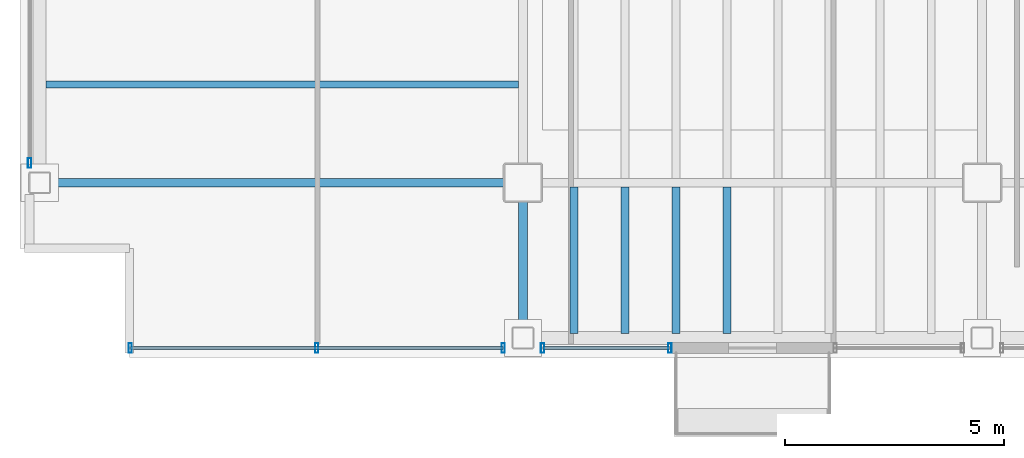
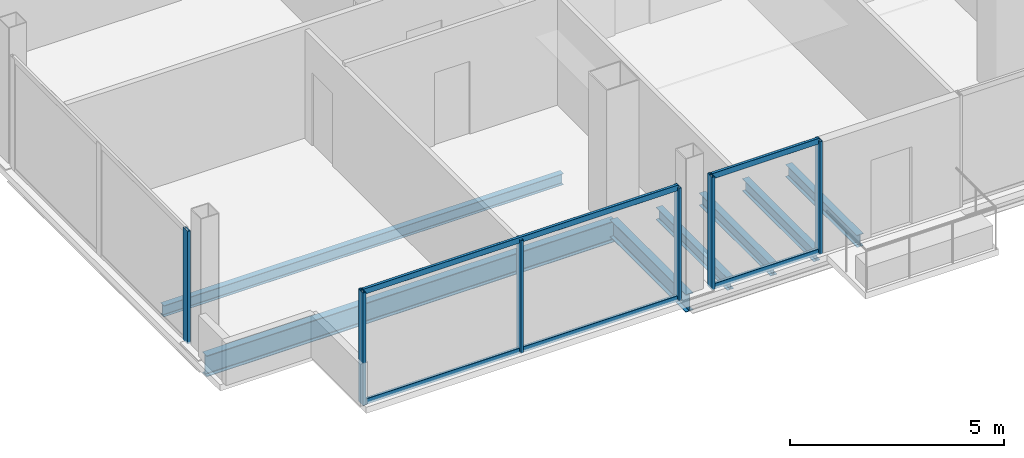
# One storey, part 2 of 19: 10 members, 7 beams, 3 elements without a shape of their own.
"""IFC4 building model written with IfcOpenShell, lengths in metres."""

from ifc_helpers import new_model, si_unit, direction, frame, origin, origin_2d, place, context, subcontext, project, spatial, hollow_rectangle, i_section, extrude, material, material_profile, profile_set, type_object, element, aggregate, save


model = new_model("IFC4")

# Units and contexts
model_context = context("Model", 3, precision=1e-05, world=origin(), true_north=direction((0.0, 1.0)))
body_context = subcontext(model_context, "Body", "Model", "MODEL_VIEW")
ifc_project = project(units=[si_unit("LENGTHUNIT", "METRE"), si_unit("AREAUNIT", "SQUARE_METRE"), si_unit("VOLUMEUNIT", "CUBIC_METRE"), si_unit("PLANEANGLEUNIT", "RADIAN"), si_unit("MASSUNIT", "GRAM", prefix="KILO")], contexts=[model_context])

# Site, building, storey
site_placement = place(None, origin())
site = spatial("IfcSite", under=ifc_project, at=site_placement, CompositionType="ELEMENT")
building_placement = place(site_placement, origin())
building = spatial("IfcBuilding", under=site, at=building_placement, Name="Noeulbin Bourse Tower", CompositionType="ELEMENT")
storey_placement = place(building_placement, frame((0.0, 0.0, 153.89990234375)))
storey = spatial("IfcBuildingStorey", under=building, at=storey_placement, Name="L38", CompositionType="ELEMENT", Elevation=153.89990234375)

# Beams
ifc_material_1 = material(Name="Steel S355", Category="steel")
ifc_material_profile_1 = material_profile(ifc_material_1, i_section(OverallWidth=0.199951171875, OverallDepth=0.5, WebThickness=0.010009765625, FlangeThickness=0.01611328125, FilletRadius=0.02001953125, at=origin_2d()), Name="H-500x200x10x16", Category="LoadBearing")
ifc_profile_set_1 = profile_set([ifc_material_profile_1], Name="Steel S355")
beam_type_1 = type_object("IfcBeamType", Name="BM-GRD-500", PredefinedType="USERDEFINED", material=ifc_profile_set_1)
beam_1_placement = place(storey_placement, frame((13.5, 16.449951171875, -0.429931640625), z_axis=(0.0, 1.0, 0.0), x_axis=(-1.0, 0.0, 0.0)))
element("IfcBeam", 1, at=beam_1_placement, inside=storey, type_object=beam_type_1, Name="Tower Primary Girder NS L38-1.1", ObjectType="GIRDER", PredefinedType="USERDEFINED", context=body_context, shape_type="SweptSolid", body=[
    extrude(i_section(OverallWidth=0.199951171875, OverallDepth=0.5, WebThickness=0.010009765625, FlangeThickness=0.01611328125, FilletRadius=0.02001953125, at=origin_2d()), origin(), (0.0, 0.0, 1.0), 3.550048828125),
])
ifc_material_profile_2 = material_profile(ifc_material_1, i_section(OverallWidth=0.199951171875, OverallDepth=0.60009765625, WebThickness=0.010986328125, FlangeThickness=0.01708984375, FilletRadius=0.02197265625, at=origin_2d()), Name="H-600x200x11x17", Category="LoadBearing")
ifc_profile_set_2 = profile_set([ifc_material_profile_2], Name="Steel S355")
beam_type_2 = type_object("IfcBeamType", Name="BM-GRD-600", PredefinedType="USERDEFINED", material=ifc_profile_set_2)
beam_2_placement = place(storey_placement, frame((2.449951171875, 20.0, -0.47998046875), z_axis=(1.0, 0.0, 0.0), x_axis=(0.0, 1.0, 0.0)))
element("IfcBeam", 2, at=beam_2_placement, inside=storey, type_object=beam_type_2, Name="Tower Primary Girder EW L38-1.1", ObjectType="GIRDER", PredefinedType="USERDEFINED", context=body_context, shape_type="SweptSolid", body=[
    extrude(i_section(OverallWidth=0.199951171875, OverallDepth=0.60009765625, WebThickness=0.010986328125, FlangeThickness=0.01708984375, FilletRadius=0.02197265625, at=origin_2d()), origin(), (0.0, 0.0, 1.0), 11.050048828125),
])
ifc_material_profile_3 = material_profile(ifc_material_1, i_section(OverallWidth=0.159912109375, OverallDepth=0.320068359375, WebThickness=0.006591796875, FlangeThickness=0.010009765625, FilletRadius=0.012939453125, at=origin_2d()), Name="H-320x160x6.5x10", Category="LoadBearing")
ifc_profile_set_3 = profile_set([ifc_material_profile_3], Name="Steel S355")
beam_type_3 = type_object("IfcBeamType", Name="BM-JST-320", PredefinedType="JOIST", material=ifc_profile_set_3)
beam_3_placement = place(storey_placement, frame((2.60009765625, 22.25, -0.33984375), z_axis=(1.0, 0.0, 0.0), x_axis=(0.0, 1.0, 0.0)))
element("IfcBeam", 3, at=beam_3_placement, inside=storey, type_object=beam_type_3, Name="Wing Composite Joist L38-W70", PredefinedType="JOIST", context=body_context, shape_type="SweptSolid", body=[
    extrude(i_section(OverallWidth=0.159912109375, OverallDepth=0.320068359375, WebThickness=0.006591796875, FlangeThickness=0.010009765625, FilletRadius=0.012939453125, at=origin_2d()), origin(), (0.0, 0.0, 1.0), 10.7998046875),
])
ifc_material_profile_4 = material_profile(ifc_material_1, i_section(OverallWidth=0.175048828125, OverallDepth=0.35009765625, WebThickness=0.007080078125, FlangeThickness=0.010986328125, FilletRadius=0.013916015625, at=origin_2d()), Name="H-350x175x7x11", Category="LoadBearing")
ifc_profile_set_4 = profile_set([ifc_material_profile_4], Name="Steel S355")
beam_type_4 = type_object("IfcBeamType", Name="BM-JST-350", PredefinedType="JOIST", material=ifc_profile_set_4)
for number, where, z_axis, x_axis, name in (
    (4, (14.666748046875, 16.550048828125, -0.35498046875), (0.0, 1.0, 0.0), (-1.0, 0.0, 0.0), "Tower Composite Joist L38-01"),
    (5, (15.833251953125, 16.550048828125, -0.35498046875), (0.0, 1.0, 0.0), (-1.0, 0.0, 0.0), "Tower Composite Joist L38-04"),
    (6, (17.0, 16.550048828125, -0.35498046875), (0.0, 1.0, 0.0), (-1.0, 0.0, 0.0), "Tower Composite Joist L38-07"),
    (7, (18.166748046875, 16.550048828125, -0.35498046875), (0.0, 1.0, 0.0), (-1.0, 0.0, 0.0), "Tower Composite Joist L38-10"),
):
    element("IfcBeam", number, at=place(storey_placement, frame(where, z_axis=z_axis, x_axis=x_axis)), inside=storey, type_object=beam_type_4, Name=name, PredefinedType="JOIST", context=body_context, shape_type="SweptSolid", body=[
        extrude(i_section(OverallWidth=0.175048828125, OverallDepth=0.35009765625, WebThickness=0.007080078125, FlangeThickness=0.010986328125, FilletRadius=0.013916015625, at=origin_2d()), origin(), (0.0, 0.0, 1.0), 3.349853515625),
    ])

# Curtain wall, members
ifc_material_2 = material(Name="Dark Tinted Triple Glazing", Category="glass")
curtain_wall_type = type_object("IfcCurtainWallType", Name="CW-SYS-3", PredefinedType="NOTDEFINED", material=ifc_material_2)
curtain_wall_1_placement = place(storey_placement, origin())
curtain_wall_1 = element("IfcCurtainWall", 8, at=curtain_wall_1_placement, inside=storey, type_object=curtain_wall_type, Name="Unitised Curtain Wall CW-L38-S1-S1", PredefinedType="NOTDEFINED")
ifc_material_3 = material(Name="Anodised Aluminium 6063-T6", Category="aluminium")
ifc_material_profile_5 = material_profile(ifc_material_3, hollow_rectangle(XDim=0.074951171875, YDim=0.219970703125, WallThickness=0.0048828125, InnerFilletRadius=0.00244140625, OuterFilletRadius=0.0048828125, at=origin_2d()), Name="ALU-MULL-75x220x5", Category="LoadBearing")
ifc_profile_set_5 = profile_set([ifc_material_profile_5], Name="Anodised Aluminium 6063-T6")
member_type_1 = type_object("IfcMemberType", Name="CW-SYS-3-MUL", PredefinedType="MULLION", material=ifc_profile_set_5)
member_1_placement = place(storey_placement, frame((4.52001953125, 16.219970703125, -0.02001953125), z_axis=(0.0, 0.0, 1.0), x_axis=(1.0, 0.0, 0.0)))
member_1 = element("IfcMember", 9, at=member_1_placement, type_object=member_type_1, Name="Curtain Wall Mullion CW-L38-S1-S1-M00", PredefinedType="MULLION", context=body_context, shape_type="SweptSolid", body=[
    extrude(hollow_rectangle(XDim=0.074951171875, YDim=0.219970703125, WallThickness=0.0048828125, InnerFilletRadius=0.00244140625, OuterFilletRadius=0.0048828125, at=origin_2d()), origin(), (0.0, 0.0, 1.0), 3.22021484375),
])
member_2_placement = place(storey_placement, frame((8.784912109375, 16.219970703125, -0.02001953125), z_axis=(0.0, 0.0, 1.0), x_axis=(1.0, 0.0, 0.0)))
member_2 = element("IfcMember", 10, at=member_2_placement, type_object=member_type_1, Name="Curtain Wall Mullion CW-L38-S1-S1-M01", PredefinedType="MULLION", context=body_context, shape_type="SweptSolid", body=[
    extrude(hollow_rectangle(XDim=0.074951171875, YDim=0.219970703125, WallThickness=0.0048828125, InnerFilletRadius=0.00244140625, OuterFilletRadius=0.0048828125, at=origin_2d()), origin(), (0.0, 0.0, 1.0), 3.22021484375),
])
member_3_placement = place(storey_placement, frame((13.050048828125, 16.219970703125, -0.02001953125), z_axis=(0.0, 0.0, 1.0), x_axis=(1.0, 0.0, 0.0)))
member_3 = element("IfcMember", 11, at=member_3_placement, type_object=member_type_1, Name="Curtain Wall Mullion CW-L38-S1-S1-M02", PredefinedType="MULLION", context=body_context, shape_type="SweptSolid", body=[
    extrude(hollow_rectangle(XDim=0.074951171875, YDim=0.219970703125, WallThickness=0.0048828125, InnerFilletRadius=0.00244140625, OuterFilletRadius=0.0048828125, at=origin_2d()), origin(), (0.0, 0.0, 1.0), 3.22021484375),
])

curtain_wall_2_placement = place(storey_placement, origin())
curtain_wall_2 = element("IfcCurtainWall", 12, at=curtain_wall_2_placement, inside=storey, type_object=curtain_wall_type, Name="Unitised Curtain Wall CW-L38-S1-S2", PredefinedType="NOTDEFINED")
member_4_placement = place(storey_placement, frame((13.949951171875, 16.219970703125, -0.02001953125), z_axis=(0.0, 0.0, 1.0), x_axis=(1.0, 0.0, 0.0)))
member_4 = element("IfcMember", 13, at=member_4_placement, type_object=member_type_1, Name="Curtain Wall Mullion CW-L38-S1-S2-M00", PredefinedType="MULLION", context=body_context, shape_type="SweptSolid", body=[
    extrude(hollow_rectangle(XDim=0.074951171875, YDim=0.219970703125, WallThickness=0.0048828125, InnerFilletRadius=0.00244140625, OuterFilletRadius=0.0048828125, at=origin_2d()), origin(), (0.0, 0.0, 1.0), 3.22021484375),
])
member_5_placement = place(storey_placement, frame((16.860107421875, 16.219970703125, -0.02001953125), z_axis=(0.0, 0.0, 1.0), x_axis=(1.0, 0.0, 0.0)))
member_5 = element("IfcMember", 14, at=member_5_placement, type_object=member_type_1, Name="Curtain Wall Mullion CW-L38-S1-S2-M01", PredefinedType="MULLION", context=body_context, shape_type="SweptSolid", body=[
    extrude(hollow_rectangle(XDim=0.074951171875, YDim=0.219970703125, WallThickness=0.0048828125, InnerFilletRadius=0.00244140625, OuterFilletRadius=0.0048828125, at=origin_2d()), origin(), (0.0, 0.0, 1.0), 3.22021484375),
])

# Curtain wall, member
curtain_wall_3_placement = place(storey_placement, origin())
curtain_wall_3 = element("IfcCurtainWall", 15, at=curtain_wall_3_placement, inside=storey, type_object=curtain_wall_type, Name="Unitised Curtain Wall CW-L38-W-S1", PredefinedType="NOTDEFINED")
member_6_placement = place(storey_placement, frame((2.219970703125, 20.449951171875, -0.02001953125), z_axis=(0.0, 0.0, 1.0), x_axis=(1.0, 0.0, 0.0)))
member_6 = element("IfcMember", 16, at=member_6_placement, type_object=member_type_1, Name="Curtain Wall Mullion CW-L38-W-S1-M00", PredefinedType="MULLION", context=body_context, shape_type="SweptSolid", body=[
    extrude(hollow_rectangle(XDim=0.074951171875, YDim=0.219970703125, WallThickness=0.0048828125, InnerFilletRadius=0.00244140625, OuterFilletRadius=0.0048828125, at=origin_2d()), origin(), (0.0, 0.0, 1.0), 3.22021484375),
])
aggregate(curtain_wall_3, [member_6])

# Member
ifc_material_profile_6 = material_profile(ifc_material_3, hollow_rectangle(XDim=0.074951171875, YDim=0.159912109375, WallThickness=0.0048828125, InnerFilletRadius=0.00244140625, OuterFilletRadius=0.0048828125, at=origin_2d()), Name="ALU-TRAN-75x160x5", Category="LoadBearing")
ifc_profile_set_6 = profile_set([ifc_material_profile_6], Name="Anodised Aluminium 6063-T6")
member_type_2 = type_object("IfcMemberType", Name="CW-SYS-3-TRN", PredefinedType="USERDEFINED", material=ifc_profile_set_6)
member_7_placement = place(storey_placement, frame((4.530029296875, 16.219970703125, 0.010009765625), z_axis=(1.0, 0.0, 0.0), x_axis=(0.0, 1.0, 0.0)))
member_7 = element("IfcMember", 17, at=member_7_placement, type_object=member_type_2, Name="Curtain Wall Transom CW-L38-S1-S1-T00", ObjectType="TRANSOM", PredefinedType="USERDEFINED", context=body_context, shape_type="SweptSolid", body=[
    extrude(hollow_rectangle(XDim=0.074951171875, YDim=0.159912109375, WallThickness=0.0048828125, InnerFilletRadius=0.00244140625, OuterFilletRadius=0.0048828125, at=origin_2d()), origin(), (0.0, 0.0, 1.0), 8.510009765625),
])

member_8_placement = place(storey_placement, frame((4.530029296875, 16.219970703125, 3.170166015625), z_axis=(1.0, 0.0, 0.0), x_axis=(0.0, 1.0, 0.0)))
member_8 = element("IfcMember", 18, at=member_8_placement, type_object=member_type_2, Name="Curtain Wall Transom CW-L38-S1-S1-T01", ObjectType="TRANSOM", PredefinedType="USERDEFINED", context=body_context, shape_type="SweptSolid", body=[
    extrude(hollow_rectangle(XDim=0.074951171875, YDim=0.159912109375, WallThickness=0.0048828125, InnerFilletRadius=0.00244140625, OuterFilletRadius=0.0048828125, at=origin_2d()), origin(), (0.0, 0.0, 1.0), 8.510009765625),
])

aggregate(curtain_wall_1, [member_1, member_2, member_3, member_7, member_8])

member_9_placement = place(storey_placement, frame((13.9599609375, 16.219970703125, 0.010009765625), z_axis=(1.0, 0.0, 0.0), x_axis=(0.0, 1.0, 0.0)))
member_9 = element("IfcMember", 19, at=member_9_placement, type_object=member_type_2, Name="Curtain Wall Transom CW-L38-S1-S2-T00", ObjectType="TRANSOM", PredefinedType="USERDEFINED", context=body_context, shape_type="SweptSolid", body=[
    extrude(hollow_rectangle(XDim=0.074951171875, YDim=0.159912109375, WallThickness=0.0048828125, InnerFilletRadius=0.00244140625, OuterFilletRadius=0.0048828125, at=origin_2d()), origin(), (0.0, 0.0, 1.0), 2.89013671875),
])

member_10_placement = place(storey_placement, frame((13.9599609375, 16.219970703125, 3.170166015625), z_axis=(1.0, 0.0, 0.0), x_axis=(0.0, 1.0, 0.0)))
member_10 = element("IfcMember", 20, at=member_10_placement, type_object=member_type_2, Name="Curtain Wall Transom CW-L38-S1-S2-T01", ObjectType="TRANSOM", PredefinedType="USERDEFINED", context=body_context, shape_type="SweptSolid", body=[
    extrude(hollow_rectangle(XDim=0.074951171875, YDim=0.159912109375, WallThickness=0.0048828125, InnerFilletRadius=0.00244140625, OuterFilletRadius=0.0048828125, at=origin_2d()), origin(), (0.0, 0.0, 1.0), 2.89013671875),
])

aggregate(curtain_wall_2, [member_4, member_5, member_9, member_10])

save(model, "model.ifc")
